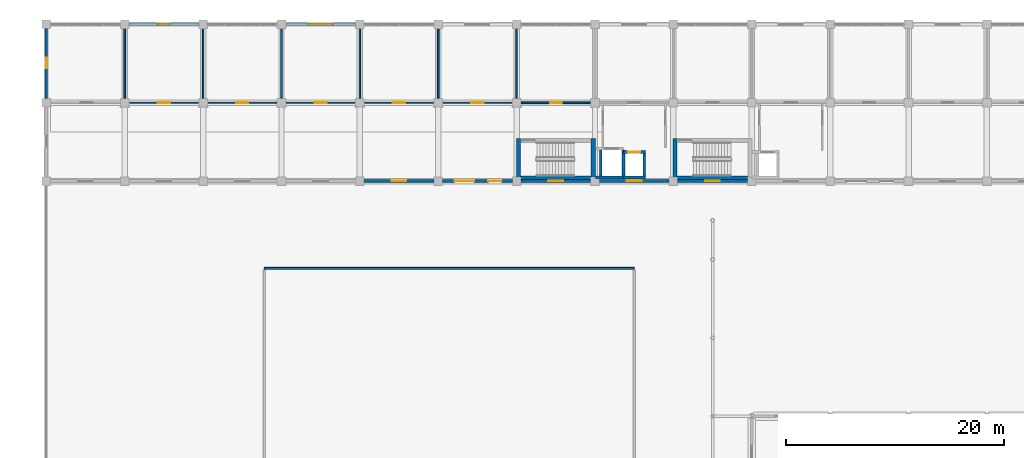
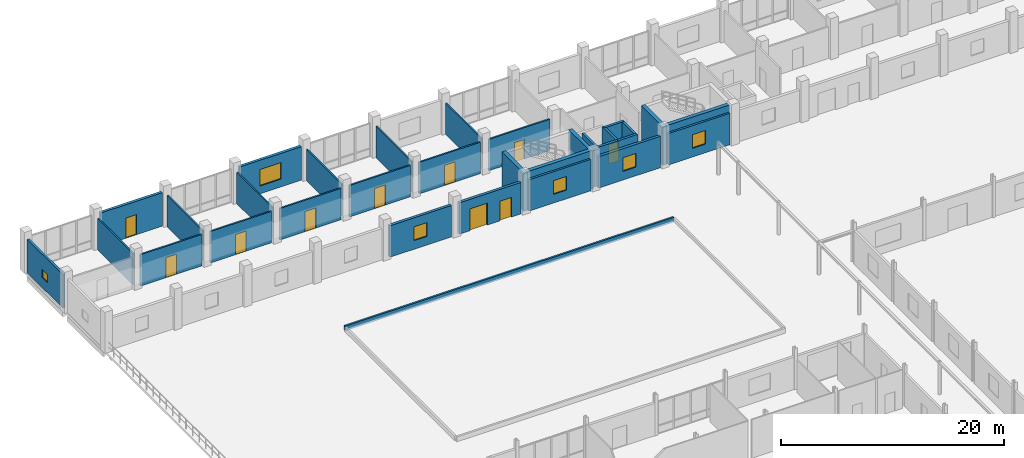
# One storey, part 116 of 139: 32 walls, 10 doors, 6 windows, 16 openings.
"""IFC4 building model written with IfcOpenShell, lengths in metres."""

import ifcopenshell
import ifcopenshell.guid

model = None  # the IFC model being written
_history = None  # IfcOwnerHistory: only IFC2X3 demands one
_inside = {}  # id of a spatial element -> (the spatial element, [elements in it])
_under = {}  # id of a project, library or spatial element -> (it, [spatial elements below it])
_declared = {}  # id of a project -> (the project, [libraries it declares])
_typed = {}  # id of a type object -> (the type object, [elements of that type])
_made_of = {}  # id of a material, layer set ... -> (it, [elements and type objects made of it])


def new_model(schema):
    """Start an empty IFC model of exactly this schema.

    Asked for "IFC4X3", IfcOpenShell would pick the latest addendum, in which some entities
    have other attributes; the version numbers below select the first issue.
    IFC2X3 requires an IfcOwnerHistory on every rooted entity: one is made here for all.
    """
    global model, _history
    if schema == "IFC4X3":
        model = ifcopenshell.file(schema_version=(4, 3, 0, 0))
    else:
        model = ifcopenshell.file(schema=schema)
    _inside.clear()
    _under.clear()
    _declared.clear()
    _typed.clear()
    _made_of.clear()
    _history = None
    if model.schema == "IFC2X3":
        org = make("IfcOrganization", Name="unknown")
        user = make(
            "IfcPersonAndOrganization",
            ThePerson=make("IfcPerson", FamilyName="unknown"),
            TheOrganization=org,
        )
        app = make(
            "IfcApplication",
            ApplicationDeveloper=org,
            Version="unknown",
            ApplicationFullName="unknown",
            ApplicationIdentifier="unknown",
        )
        _history = make(
            "IfcOwnerHistory",
            OwningUser=user,
            OwningApplication=app,
            ChangeAction="ADDED",
            CreationDate=0,
        )
    return model


def make(cls, **values):
    """One entity of the class cls with the attributes given. An attribute that is None is left unset."""
    return model.create_entity(
        cls, **{name: value for name, value in values.items() if value is not None}
    )


def rooted(cls, **values):
    """An entity with a GlobalId (a new one), such as an element, a storey or a relation."""
    return make(cls, GlobalId=ifcopenshell.guid.new(), OwnerHistory=_history, **values)


def si_unit(unit_type, name, prefix=None):
    """IfcSIUnit, for example si_unit("LENGTHUNIT", "METRE", prefix="MILLI")."""
    return make("IfcSIUnit", UnitType=unit_type, Prefix=prefix, Name=name)


def assignment(units):
    """IfcUnitAssignment: the units of a project."""
    return None if units is None else make("IfcUnitAssignment", Units=units)


def point(xyz):
    """IfcCartesianPoint."""
    return None if xyz is None else make("IfcCartesianPoint", Coordinates=xyz)


def direction(xyz):
    """IfcDirection."""
    return None if xyz is None else make("IfcDirection", DirectionRatios=xyz)


def frame(location, z_axis=None, x_axis=None):
    """IfcAxis2Placement3D, a coordinate frame: its origin and axes. An axis left out is left unset."""
    return make(
        "IfcAxis2Placement3D",
        Location=point(location),
        Axis=direction(z_axis),
        RefDirection=direction(x_axis),
    )


def frame_2d(location, x_axis=None):
    """IfcAxis2Placement2D, a coordinate frame in the plane: its origin and x axis."""
    return make(
        "IfcAxis2Placement2D", Location=point(location), RefDirection=direction(x_axis)
    )


def origin():
    """The frame at (0, 0, 0) with its axes left unset."""
    return frame((0.0, 0.0, 0.0))


def place(relative_to, where):
    """IfcLocalPlacement: puts the frame where relative to a parent placement (None: the world)."""
    return make(
        "IfcLocalPlacement", PlacementRelTo=relative_to, RelativePlacement=where
    )


def context(
    kind, dimensions, precision=None, world=None, true_north=None, identifier=None
):
    """IfcGeometricRepresentationContext, for example the 3D "Model" context."""
    return make(
        "IfcGeometricRepresentationContext",
        ContextIdentifier=identifier,
        ContextType=kind,
        CoordinateSpaceDimension=dimensions,
        Precision=precision,
        WorldCoordinateSystem=world,
        TrueNorth=true_north,
    )


def subcontext(parent, identifier, kind, view, scale=None):
    """IfcGeometricRepresentationSubContext, for example "Body" below "Model"."""
    return make(
        "IfcGeometricRepresentationSubContext",
        ContextIdentifier=identifier,
        ContextType=kind,
        ParentContext=parent,
        TargetScale=scale,
        TargetView=view,
    )


def project(units=None, contexts=None):
    """IfcProject with its units and contexts."""
    return rooted(
        "IfcProject",
        Name="project",
        RepresentationContexts=contexts,
        UnitsInContext=assignment(units),
    )


def spatial(cls, under=None, at=None, **own):
    """A site, building, storey or space (cls), placed at a placement, below another one or the project."""
    s = rooted(cls, ObjectPlacement=at, **own)
    if under is not None:
        _under.setdefault(under.id(), (under, []))[1].append(s)
    return s


def profile(cls, at=None, kind="AREA", **sizes):
    """A parametric profile (cls). Its sizes go by their IFC names, for example OverallWidth=200.0."""
    return make(cls, ProfileType=kind, Position=at, **sizes)


def rectangle(**sizes):
    """IfcRectangleProfileDef."""
    return profile("IfcRectangleProfileDef", **sizes)


def extrude(swept, where, along, depth):
    """IfcExtrudedAreaSolid: the profile swept, set in the frame where, extruded along a direction by depth."""
    return make(
        "IfcExtrudedAreaSolid",
        SweptArea=swept,
        Position=where,
        ExtrudedDirection=direction(along),
        Depth=depth,
    )


def shape(context_of_items, identifier, shape_type, items):
    """IfcShapeRepresentation: the items that make up one representation, for example the "Body"."""
    return make(
        "IfcShapeRepresentation",
        ContextOfItems=context_of_items,
        RepresentationIdentifier=identifier,
        RepresentationType=shape_type,
        Items=items,
    )


def material(Name=None, Category=None):
    """IfcMaterial."""
    return make("IfcMaterial", Name=Name, Category=Category)


def layer(
    of_material, thickness, ventilated=None, Name=None, Category=None, Priority=None
):
    """IfcMaterialLayer: one layer of a wall or slab, of a material (None: an air gap)."""
    return make(
        "IfcMaterialLayer",
        Material=of_material,
        LayerThickness=thickness,
        IsVentilated=ventilated,
        Name=Name,
        Category=Category,
        Priority=Priority,
    )


def layer_set(layers, Name=None):
    """IfcMaterialLayerSet."""
    return make("IfcMaterialLayerSet", MaterialLayers=layers, LayerSetName=Name)


def made_of(thing, what):
    """Note that an element or type object is made of a material, layer set ...; save() writes the relation."""
    if what is not None:
        _made_of.setdefault(what.id(), (what, []))[1].append(thing)
    return thing


def type_object(cls, material=None, **own):
    """A type object (cls), such as IfcWallType, which elements share."""
    return made_of(rooted(cls, **own), material)


def element(
    cls,
    number,
    at=None,
    inside=None,
    cuts=None,
    type_object=None,
    material=None,
    context=None,
    identifier="Body",
    shape_type=None,
    held_by="IfcProductDefinitionShape",
    body=None,
    shapes=None,
    **own,
):
    """One element of the class cls, such as IfcWall. Its Tag is "e" and its number.

    at: its placement. inside: the storey or other place that contains it. cuts: it is an
    opening in that element (IfcRelVoidsElement). A single representation is given by context,
    identifier, shape_type and body (its items); several are given by shapes. held_by: the class
    of the entity that holds the representations. save() writes the other relations.
    """
    e = rooted(cls, Tag="e%d" % number, ObjectPlacement=at, **own)
    if body is not None:
        shapes = [shape(context, identifier, shape_type, body)]
    if shapes is not None:
        e.Representation = make(held_by, Representations=shapes)
    if inside is not None:
        _inside.setdefault(inside.id(), (inside, []))[1].append(e)
    if cuts is not None:
        rooted(
            "IfcRelVoidsElement", RelatingBuildingElement=cuts, RelatedOpeningElement=e
        )
    if type_object is not None:
        _typed.setdefault(type_object.id(), (type_object, []))[1].append(e)
    return made_of(e, material)


def fill(opening, filler):
    """IfcRelFillsElement: the door or window that sits in an opening."""
    return rooted(
        "IfcRelFillsElement",
        RelatingOpeningElement=opening,
        RelatedBuildingElement=filler,
    )


def aggregate(whole, parts):
    """IfcRelAggregates: a whole, such as a stair, and the parts it consists of."""
    return rooted("IfcRelAggregates", RelatingObject=whole, RelatedObjects=parts)


def save(model, path):
    """Write the relations noted so far, then the file.

    IfcRelAggregates (storeys below a building ...), IfcRelContainedInSpatialStructure (elements
    in a storey), IfcRelDefinesByType, IfcRelAssociatesMaterial and IfcRelDeclares: one each for
    every whole, place, type object, material and project.
    """
    for whole, parts in _under.values():
        aggregate(whole, parts)
    for where, things in _inside.values():
        rooted(
            "IfcRelContainedInSpatialStructure",
            RelatedElements=things,
            RelatingStructure=where,
        )
    for kind, things in _typed.values():
        rooted("IfcRelDefinesByType", RelatedObjects=things, RelatingType=kind)
    for what, things in _made_of.values():
        rooted("IfcRelAssociatesMaterial", RelatedObjects=things, RelatingMaterial=what)
    for by, libraries in _declared.values():
        rooted("IfcRelDeclares", RelatingContext=by, RelatedDefinitions=libraries)
    model.write(path)


model = new_model("IFC4")

# Units and contexts
model_context = context("Model", 3, precision=1e-05, world=origin(), true_north=direction((0.0, 1.0)))
body_context = subcontext(model_context, "Body", "Model", "MODEL_VIEW")
ifc_project = project(units=[si_unit("LENGTHUNIT", "METRE"), si_unit("AREAUNIT", "SQUARE_METRE"), si_unit("VOLUMEUNIT", "CUBIC_METRE"), si_unit("PLANEANGLEUNIT", "RADIAN"), si_unit("MASSUNIT", "GRAM", prefix="KILO")], contexts=[model_context])

# Site, building, storey
site_placement = place(None, origin())
site = spatial("IfcSite", under=ifc_project, at=site_placement, CompositionType="ELEMENT")
building_placement = place(site_placement, origin())
building = spatial("IfcBuilding", under=site, at=building_placement, Name="Suanplinth Sawtooth Commons", CompositionType="ELEMENT")
storey_placement = place(building_placement, origin())
storey = spatial("IfcBuildingStorey", under=building, at=storey_placement, Name="L00", CompositionType="ELEMENT", Elevation=0.0)

# Walls
ifc_material_1 = material(Name="Concrete C40/50", Category="concrete")
ifc_layer_1 = layer(ifc_material_1, 0.3798828125, Name="Lower high-rise RC core shear wall 380mm")
ifc_layer_set_1 = layer_set([ifc_layer_1], Name="Concrete C40/50")
wall_type_1 = type_object("IfcWallType", Name="W-CR01", PredefinedType="SHEAR", material=ifc_layer_set_1)
wall_1_placement = place(storey_placement, frame((43.550048828125, 108.260009765625, 0.0), z_axis=(0.0, 0.0, 1.0), x_axis=(1.0, 0.0, 0.0)))
element("IfcWall", 1, at=wall_1_placement, inside=storey, type_object=wall_type_1, Name="W-L00-C-A1-STS", PredefinedType="SHEAR", context=body_context, shape_type="SweptSolid", body=[
    extrude(rectangle(XDim=6.5, YDim=0.3798828125, at=frame_2d((3.25, 0.0))), origin(), (0.0, 0.0, 1.0), 4.199951171875),
])
for number, where, z_axis, x_axis, name in (
    (2, (43.360107421875, 108.070068359375, 0.0), (0.0, 0.0, 1.0), (0.0, 1.0, 0.0), "W-L00-C-A1-STW"),
    (3, (50.239990234375, 108.070068359375, 0.0), (0.0, 0.0, 1.0), (0.0, 1.0, 0.0), "W-L00-C-A1-STE"),
):
    element("IfcWall", number, at=place(storey_placement, frame(where, z_axis=z_axis, x_axis=x_axis)), inside=storey, type_object=wall_type_1, Name=name, PredefinedType="SHEAR", context=body_context, shape_type="SweptSolid", body=[
        extrude(rectangle(XDim=3.85986328125, YDim=0.3798828125, at=frame_2d((1.929931640625, 0.0))), origin(), (0.0, 0.0, 1.0), 4.199951171875),
    ])
wall_2_placement = place(storey_placement, frame((57.949951171875, 108.260009765625, 0.0), z_axis=(0.0, 0.0, 1.0), x_axis=(1.0, 0.0, 0.0)))
element("IfcWall", 4, at=wall_2_placement, inside=storey, type_object=wall_type_1, Name="W-L00-C-A2-STS", PredefinedType="SHEAR", context=body_context, shape_type="SweptSolid", body=[
    extrude(rectangle(XDim=6.5, YDim=0.3798828125, at=frame_2d((3.25, 0.0))), origin(), (0.0, 0.0, 1.0), 4.199951171875),
])
wall_3_placement = place(storey_placement, frame((57.760009765625, 108.070068359375, 0.0), z_axis=(0.0, 0.0, 1.0), x_axis=(0.0, 1.0, 0.0)))
element("IfcWall", 5, at=wall_3_placement, inside=storey, type_object=wall_type_1, Name="W-L00-C-A2-STW", PredefinedType="SHEAR", context=body_context, shape_type="SweptSolid", body=[
    extrude(rectangle(XDim=3.85986328125, YDim=0.3798828125, at=frame_2d((1.929931640625, 0.0))), origin(), (0.0, 0.0, 1.0), 4.199951171875),
])

# Wall, opening, door
ifc_material_2 = material(Name="Precast concrete C40/50", Category="concrete")
ifc_layer_2 = layer(ifc_material_2, 0.280029296875, Name="Insulated precast architectural facade wall 280mm")
ifc_layer_set_2 = layer_set([ifc_layer_2], Name="Precast concrete C40/50")
wall_type_2 = type_object("IfcWallType", Name="W-EX01", PredefinedType="ELEMENTEDWALL", material=ifc_layer_set_2)
wall_4_placement = place(storey_placement, frame((7.60009765625, 122.39990234375, 0.0), z_axis=(0.0, 0.0, 1.0), x_axis=(1.0, 0.0, 0.0)))
wall_4 = element("IfcWall", 6, at=wall_4_placement, inside=storey, type_object=wall_type_2, Name="Facade Wall W-L00-A-N-1", PredefinedType="ELEMENTEDWALL", context=body_context, shape_type="SweptSolid", body=[
    extrude(rectangle(XDim=6.39990234375, YDim=0.280029296875, at=frame_2d((3.199951171875, 0.0))), origin(), (0.0, 0.0, 1.0), 3.6650390625),
])
opening_1_placement = place(wall_4_placement, frame((2.64990234375, 0.0, 0.0)))
opening_1 = element("IfcOpeningElement", 7, at=opening_1_placement, cuts=wall_4, Name="Opening ED0021", PredefinedType="OPENING", context=body_context, shape_type="SweptSolid", body=[
    extrude(rectangle(XDim=1.10009765625, YDim=2.199951171875, at=frame_2d((0.550048828125, 1.10009765625))), frame((0.0, 0.15478515625, 0.0), z_axis=(0.0, -1.0, 0.0), x_axis=(1.0, 0.0, 0.0)), (0.0, 0.0, 1.0), 0.309814453125),
])
ifc_material_3 = material(Name="Anodized aluminium and clear glass", Category="aluminium")
door_type_1 = type_object("IfcDoorType", Name="ED-06", OperationType="NOTDEFINED", PredefinedType="DOOR", material=ifc_material_3)
door_1_placement = place(opening_1_placement, frame((1.10009765625, 0.0, 0.0), z_axis=(0.0, 0.0, 1.0), x_axis=(-1.0, 0.0, 0.0)))
door_1 = element("IfcDoor", 8, at=door_1_placement, inside=storey, type_object=door_type_1, Name="Ground Shop Entrance A-1", OperationType="SINGLE_SWING_LEFT", OverallHeight=2.199951171875, OverallWidth=1.10009765625, PredefinedType="DOOR", context=body_context, shape_type="SweptSolid", body=[
    extrude(rectangle(XDim=1.10009765625, YDim=2.199951171875, at=frame_2d((0.550048828125, 1.10009765625))), frame((0.0, 0.02490234375, 0.0), z_axis=(0.0, -1.0, 0.0), x_axis=(1.0, 0.0, 0.0)), (0.0, 0.0, 1.0), 0.050048828125),
])
fill(opening_1, door_1)

# Wall, opening, window
wall_5_placement = place(storey_placement, frame((22.0, 122.39990234375, 0.0), z_axis=(0.0, 0.0, 1.0), x_axis=(1.0, 0.0, 0.0)))
wall_5 = element("IfcWall", 9, at=wall_5_placement, inside=storey, type_object=wall_type_2, Name="Facade Wall W-L00-A-N-3", PredefinedType="ELEMENTEDWALL", context=body_context, shape_type="SweptSolid", body=[
    extrude(rectangle(XDim=6.39990234375, YDim=0.280029296875, at=frame_2d((3.199951171875, 0.0))), origin(), (0.0, 0.0, 1.0), 3.6650390625),
])
opening_2_placement = place(wall_5_placement, frame((2.10009765625, 0.0, 0.85009765625)))
opening_2 = element("IfcOpeningElement", 10, at=opening_2_placement, cuts=wall_5, Name="Opening W0077", PredefinedType="OPENING", context=body_context, shape_type="SweptSolid", body=[
    extrude(rectangle(XDim=2.199951171875, YDim=1.800048828125, at=frame_2d((1.10009765625, 0.89990234375))), frame((0.0, 0.15478515625, 0.0), z_axis=(0.0, -1.0, 0.0), x_axis=(1.0, 0.0, 0.0)), (0.0, 0.0, 1.0), 0.309814453125),
])
ifc_material_4 = material(Name="Thermally broken aluminium and low-E double glazing", Category="aluminium")
window_type_1 = type_object("IfcWindowType", Name="WN-11", PartitioningType="TRIPLE_PANEL_VERTICAL", PredefinedType="WINDOW", material=ifc_material_4)
window_1_placement = place(opening_2_placement, origin())
window_1 = element("IfcWindow", 11, at=window_1_placement, inside=storey, type_object=window_type_1, Name="Shopfront Window A-3", OverallHeight=1.800048828125, OverallWidth=2.199951171875, PartitioningType="TRIPLE_PANEL_VERTICAL", PredefinedType="WINDOW", context=body_context, shape_type="SweptSolid", body=[
    extrude(rectangle(XDim=2.199951171875, YDim=1.800048828125, at=frame_2d((1.10009765625, 0.89990234375))), frame((0.0, 0.030029296875, 0.0), z_axis=(0.0, -1.0, 0.0), x_axis=(1.0, 0.0, 0.0)), (0.0, 0.0, 1.0), 0.06005859375),
])
fill(opening_2, window_1)

wall_6_placement = place(storey_placement, frame((29.199951171875, 108.0, 0.0), z_axis=(0.0, 0.0, 1.0), x_axis=(1.0, 0.0, 0.0)))
wall_6 = element("IfcWall", 12, at=wall_6_placement, inside=storey, type_object=wall_type_2, Name="Courtyard Wall W-L00-A-S-4", PredefinedType="ELEMENTEDWALL", context=body_context, shape_type="SweptSolid", body=[
    extrude(rectangle(XDim=6.400146484375, YDim=0.280029296875, at=frame_2d((3.2001953125, 0.0))), origin(), (0.0, 0.0, 1.0), 3.43505859375),
])
opening_3_placement = place(wall_6_placement, frame((2.52490234375, 0.0, 0.949951171875)))
opening_3 = element("IfcOpeningElement", 13, at=opening_3_placement, cuts=wall_6, Name="Opening W0079", PredefinedType="OPENING", context=body_context, shape_type="SweptSolid", body=[
    extrude(rectangle(XDim=1.35009765625, YDim=1.5, at=frame_2d((0.675048828125, 0.75))), frame((0.0, 0.15478515625, 0.0), z_axis=(0.0, -1.0, 0.0), x_axis=(1.0, 0.0, 0.0)), (0.0, 0.0, 1.0), 0.309814453125),
])
window_type_2 = type_object("IfcWindowType", Name="WN-14", PartitioningType="SINGLE_PANEL", PredefinedType="WINDOW", material=ifc_material_4)
window_2_placement = place(opening_3_placement, origin())
window_2 = element("IfcWindow", 14, at=window_2_placement, inside=storey, type_object=window_type_2, Name="Courtyard Window L00-A-4", OverallHeight=1.5, OverallWidth=1.35009765625, PartitioningType="SINGLE_PANEL", PredefinedType="WINDOW", context=body_context, shape_type="SweptSolid", body=[
    extrude(rectangle(XDim=1.35009765625, YDim=1.5, at=frame_2d((0.675048828125, 0.75))), frame((0.0, 0.030029296875, 0.0), z_axis=(0.0, -1.0, 0.0), x_axis=(1.0, 0.0, 0.0)), (0.0, 0.0, 1.0), 0.06005859375),
])
fill(opening_3, window_2)

# Wall, openings, doors
wall_7_placement = place(storey_placement, frame((36.39990234375, 108.0, 0.0), z_axis=(0.0, 0.0, 1.0), x_axis=(1.0, 0.0, 0.0)))
wall_7 = element("IfcWall", 15, at=wall_7_placement, inside=storey, type_object=wall_type_2, Name="Courtyard Wall W-L00-A-S-5", PredefinedType="ELEMENTEDWALL", context=body_context, shape_type="SweptSolid", body=[
    extrude(rectangle(XDim=6.400146484375, YDim=0.280029296875, at=frame_2d((3.2001953125, 0.0))), origin(), (0.0, 0.0, 1.0), 3.43505859375),
])
opening_4_placement = place(wall_7_placement, frame((1.10009765625, 0.0, 0.0)))
opening_4 = element("IfcOpeningElement", 16, at=opening_4_placement, cuts=wall_7, Name="Opening ED0022", PredefinedType="OPENING", context=body_context, shape_type="SweptSolid", body=[
    extrude(rectangle(XDim=1.800048828125, YDim=2.39990234375, at=frame_2d((0.89990234375, 1.199951171875))), frame((0.0, 0.15478515625, 0.0), z_axis=(0.0, -1.0, 0.0), x_axis=(1.0, 0.0, 0.0)), (0.0, 0.0, 1.0), 0.309814453125),
])
opening_5_placement = place(wall_7_placement, frame((4.199951171875, 0.0, 0.0)))
opening_5 = element("IfcOpeningElement", 17, at=opening_5_placement, cuts=wall_7, Name="Opening ED0023", PredefinedType="OPENING", context=body_context, shape_type="SweptSolid", body=[
    extrude(rectangle(XDim=1.199951171875, YDim=2.14990234375, at=frame_2d((0.60009765625, 1.074951171875))), frame((0.0, 0.15478515625, 0.0), z_axis=(0.0, -1.0, 0.0), x_axis=(1.0, 0.0, 0.0)), (0.0, 0.0, 1.0), 0.309814453125),
])
ifc_material_5 = material(Name="Anodized aluminium and laminated glass", Category="aluminium")
door_type_2 = type_object("IfcDoorType", Name="ED-01", OperationType="DOUBLE_DOOR_SINGLE_SWING", PredefinedType="DOOR", material=ifc_material_5)
door_2_placement = place(opening_4_placement, frame((1.800048828125, 0.0, 0.0), z_axis=(0.0, 0.0, 1.0), x_axis=(-1.0, 0.0, 0.0)))
door_2 = element("IfcDoor", 18, at=door_2_placement, inside=storey, type_object=door_type_2, Name="Wing A Courtyard Entrance 5", OperationType="DOUBLE_DOOR_SINGLE_SWING", OverallHeight=2.39990234375, OverallWidth=1.800048828125, PredefinedType="DOOR", context=body_context, shape_type="SweptSolid", body=[
    extrude(rectangle(XDim=1.800048828125, YDim=2.39990234375, at=frame_2d((0.89990234375, 1.199951171875))), frame((0.0, 0.02490234375, 0.0), z_axis=(0.0, -1.0, 0.0), x_axis=(1.0, 0.0, 0.0)), (0.0, 0.0, 1.0), 0.050048828125),
])
fill(opening_4, door_2)
ifc_material_6 = material(Name="Galvanized painted steel", Category="steel")
door_type_3 = type_object("IfcDoorType", Name="ED-07", OperationType="NOTDEFINED", PredefinedType="DOOR", material=ifc_material_6)
door_3_placement = place(opening_5_placement, frame((1.199951171875, 0.0, 0.0), z_axis=(0.0, 0.0, 1.0), x_axis=(-1.0, 0.0, 0.0)))
door_3 = element("IfcDoor", 19, at=door_3_placement, inside=storey, type_object=door_type_3, Name="Stair Final Discharge A-5", OperationType="SINGLE_SWING_LEFT", OverallHeight=2.14990234375, OverallWidth=1.199951171875, PredefinedType="DOOR", context=body_context, shape_type="SweptSolid", body=[
    extrude(rectangle(XDim=1.199951171875, YDim=2.14990234375, at=frame_2d((0.60009765625, 1.074951171875))), frame((0.0, 0.02490234375, 0.0), z_axis=(0.0, -1.0, 0.0), x_axis=(1.0, 0.0, 0.0)), (0.0, 0.0, 1.0), 0.050048828125),
])
fill(opening_5, door_3)

# Wall, opening, window
wall_8_placement = place(storey_placement, frame((43.60009765625, 108.0, 0.0), z_axis=(0.0, 0.0, 1.0), x_axis=(1.0, 0.0, 0.0)))
wall_8 = element("IfcWall", 20, at=wall_8_placement, inside=storey, type_object=wall_type_2, Name="Courtyard Wall W-L00-A-S-6", PredefinedType="ELEMENTEDWALL", context=body_context, shape_type="SweptSolid", body=[
    extrude(rectangle(XDim=6.39990234375, YDim=0.280029296875, at=frame_2d((3.199951171875, 0.0))), origin(), (0.0, 0.0, 1.0), 3.43505859375),
])
opening_6_placement = place(wall_8_placement, frame((2.52490234375, 0.0, 0.949951171875)))
opening_6 = element("IfcOpeningElement", 21, at=opening_6_placement, cuts=wall_8, Name="Opening W0081", PredefinedType="OPENING", context=body_context, shape_type="SweptSolid", body=[
    extrude(rectangle(XDim=1.35009765625, YDim=1.5, at=frame_2d((0.675048828125, 0.75))), frame((0.0, 0.15478515625, 0.0), z_axis=(0.0, -1.0, 0.0), x_axis=(1.0, 0.0, 0.0)), (0.0, 0.0, 1.0), 0.309814453125),
])
window_3_placement = place(opening_6_placement, origin())
window_3 = element("IfcWindow", 22, at=window_3_placement, inside=storey, type_object=window_type_2, Name="Courtyard Window L00-A-6", OverallHeight=1.5, OverallWidth=1.35009765625, PartitioningType="SINGLE_PANEL", PredefinedType="WINDOW", context=body_context, shape_type="SweptSolid", body=[
    extrude(rectangle(XDim=1.35009765625, YDim=1.5, at=frame_2d((0.675048828125, 0.75))), frame((0.0, 0.030029296875, 0.0), z_axis=(0.0, -1.0, 0.0), x_axis=(1.0, 0.0, 0.0)), (0.0, 0.0, 1.0), 0.06005859375),
])
fill(opening_6, window_3)

wall_9_placement = place(storey_placement, frame((50.800048828125, 108.0, 0.0), z_axis=(0.0, 0.0, 1.0), x_axis=(1.0, 0.0, 0.0)))
wall_9 = element("IfcWall", 23, at=wall_9_placement, inside=storey, type_object=wall_type_2, Name="Courtyard Wall W-L00-A-S-7", PredefinedType="ELEMENTEDWALL", context=body_context, shape_type="SweptSolid", body=[
    extrude(rectangle(XDim=6.39990234375, YDim=0.280029296875, at=frame_2d((3.199951171875, 0.0))), origin(), (0.0, 0.0, 1.0), 3.43505859375),
])
opening_7_placement = place(wall_9_placement, frame((2.52490234375, 0.0, 0.949951171875)))
opening_7 = element("IfcOpeningElement", 24, at=opening_7_placement, cuts=wall_9, Name="Opening W0083", PredefinedType="OPENING", context=body_context, shape_type="SweptSolid", body=[
    extrude(rectangle(XDim=1.35009765625, YDim=1.5, at=frame_2d((0.675048828125, 0.75))), frame((0.0, 0.15478515625, 0.0), z_axis=(0.0, -1.0, 0.0), x_axis=(1.0, 0.0, 0.0)), (0.0, 0.0, 1.0), 0.309814453125),
])
window_4_placement = place(opening_7_placement, origin())
window_4 = element("IfcWindow", 25, at=window_4_placement, inside=storey, type_object=window_type_2, Name="Courtyard Window L00-A-7", OverallHeight=1.5, OverallWidth=1.35009765625, PartitioningType="SINGLE_PANEL", PredefinedType="WINDOW", context=body_context, shape_type="SweptSolid", body=[
    extrude(rectangle(XDim=1.35009765625, YDim=1.5, at=frame_2d((0.675048828125, 0.75))), frame((0.0, 0.030029296875, 0.0), z_axis=(0.0, -1.0, 0.0), x_axis=(1.0, 0.0, 0.0)), (0.0, 0.0, 1.0), 0.06005859375),
])
fill(opening_7, window_4)

wall_10_placement = place(storey_placement, frame((58.0, 108.0, 0.0), z_axis=(0.0, 0.0, 1.0), x_axis=(1.0, 0.0, 0.0)))
wall_10 = element("IfcWall", 26, at=wall_10_placement, inside=storey, type_object=wall_type_2, Name="Courtyard Wall W-L00-A-S-8", PredefinedType="ELEMENTEDWALL", context=body_context, shape_type="SweptSolid", body=[
    extrude(rectangle(XDim=6.39990234375, YDim=0.280029296875, at=frame_2d((3.199951171875, 0.0))), origin(), (0.0, 0.0, 1.0), 3.43505859375),
])
opening_8_placement = place(wall_10_placement, frame((2.52490234375, 0.0, 0.949951171875)))
opening_8 = element("IfcOpeningElement", 27, at=opening_8_placement, cuts=wall_10, Name="Opening W0084", PredefinedType="OPENING", context=body_context, shape_type="SweptSolid", body=[
    extrude(rectangle(XDim=1.35009765625, YDim=1.5, at=frame_2d((0.675048828125, 0.75))), frame((0.0, 0.15478515625, 0.0), z_axis=(0.0, -1.0, 0.0), x_axis=(1.0, 0.0, 0.0)), (0.0, 0.0, 1.0), 0.309814453125),
])
window_5_placement = place(opening_8_placement, origin())
window_5 = element("IfcWindow", 28, at=window_5_placement, inside=storey, type_object=window_type_2, Name="Courtyard Window L00-A-8", OverallHeight=1.5, OverallWidth=1.35009765625, PartitioningType="SINGLE_PANEL", PredefinedType="WINDOW", context=body_context, shape_type="SweptSolid", body=[
    extrude(rectangle(XDim=1.35009765625, YDim=1.5, at=frame_2d((0.675048828125, 0.75))), frame((0.0, 0.030029296875, 0.0), z_axis=(0.0, -1.0, 0.0), x_axis=(1.0, 0.0, 0.0)), (0.0, 0.0, 1.0), 0.06005859375),
])
fill(opening_8, window_5)

ifc_layer_3 = layer(ifc_material_2, 0.22998046875, Name="Stepped terrace insulated precast wall 230mm")
ifc_layer_set_3 = layer_set([ifc_layer_3], Name="Precast concrete C40/50")
wall_type_3 = type_object("IfcWallType", Name="W-EX06", PredefinedType="ELEMENTEDWALL", material=ifc_layer_set_3)
wall_11_placement = place(storey_placement, frame((0.0, 115.60009765625, 0.0), z_axis=(0.0, 0.0, 1.0), x_axis=(0.0, 1.0, 0.0)))
wall_11 = element("IfcWall", 29, at=wall_11_placement, inside=storey, type_object=wall_type_3, Name="End Wall W-L00-A-W-16", PredefinedType="ELEMENTEDWALL", context=body_context, shape_type="SweptSolid", body=[
    extrude(rectangle(XDim=6.39990234375, YDim=0.22998046875, at=frame_2d((3.199951171875, 0.0))), origin(), (0.0, 0.0, 1.0), 3.6650390625),
])
opening_9_placement = place(wall_11_placement, frame((2.75, 0.0, 1.10009765625)))
opening_9 = element("IfcOpeningElement", 30, at=opening_9_placement, cuts=wall_11, Name="Opening W0096", PredefinedType="OPENING", context=body_context, shape_type="SweptSolid", body=[
    extrude(rectangle(XDim=1.0, YDim=0.89990234375, at=frame_2d((0.5, 0.449951171875))), frame((0.0, 0.1298828125, 0.0), z_axis=(0.0, -1.0, 0.0), x_axis=(1.0, 0.0, 0.0)), (0.0, 0.0, 1.0), 0.259765625),
])
window_type_3 = type_object("IfcWindowType", Name="WN-12", PartitioningType="SINGLE_PANEL", PredefinedType="WINDOW", material=ifc_material_4)
window_6_placement = place(opening_9_placement, origin())
window_6 = element("IfcWindow", 31, at=window_6_placement, inside=storey, type_object=window_type_3, Name="End Window L00-A-W-16", OverallHeight=0.89990234375, OverallWidth=1.0, PartitioningType="SINGLE_PANEL", PredefinedType="WINDOW", context=body_context, shape_type="SweptSolid", body=[
    extrude(rectangle(XDim=1.0, YDim=0.89990234375, at=frame_2d((0.5, 0.449951171875))), frame((0.0, 0.030029296875, 0.0), z_axis=(0.0, -1.0, 0.0), x_axis=(1.0, 0.0, 0.0)), (0.0, 0.0, 1.0), 0.06005859375),
])
fill(opening_9, window_6)

# Wall, opening, door
ifc_layer_4 = layer(ifc_material_2, 0.159912109375, Name="Fire-rated corridor and lobby wall 160mm")
ifc_layer_set_4 = layer_set([ifc_layer_4], Name="Precast concrete C40/50")
wall_type_4 = type_object("IfcWallType", Name="W-FW01", PredefinedType="PARTITIONING", material=ifc_layer_set_4)
wall_12_placement = place(storey_placement, frame((7.6298828125, 115.199951171875, 0.0), z_axis=(0.0, 0.0, 1.0), x_axis=(1.0, 0.0, 0.0)))
wall_12 = element("IfcWall", 32, at=wall_12_placement, inside=storey, type_object=wall_type_4, Name="W-A-L00-GROUNDROOM-1-COR", PredefinedType="PARTITIONING", context=body_context, shape_type="SweptSolid", body=[
    extrude(rectangle(XDim=6.340087890625, YDim=0.159912109375, at=frame_2d((3.169921875, 0.0))), origin(), (0.0, 0.0, 1.0), 3.43505859375),
])
opening_10_placement = place(wall_12_placement, frame((2.610107421875, 0.0, 0.0)))
opening_10 = element("IfcOpeningElement", 33, at=opening_10_placement, cuts=wall_12, Name="Opening D0471", PredefinedType="OPENING", context=body_context, shape_type="SweptSolid", body=[
    extrude(rectangle(XDim=1.1201171875, YDim=2.199951171875, at=frame_2d((0.56005859375, 1.10009765625))), frame((0.0, 0.0947265625, 0.0), z_axis=(0.0, -1.0, 0.0), x_axis=(1.0, 0.0, 0.0)), (0.0, 0.0, 1.0), 0.189697265625),
])
ifc_material_7 = material(Name="Teak hardwood", Category="wood")
door_type_4 = type_object("IfcDoorType", Name="D-18", OperationType="NOTDEFINED", PredefinedType="DOOR", material=ifc_material_7)
door_4_placement = place(opening_10_placement, origin())
door_4 = element("IfcDoor", 34, at=door_4_placement, inside=storey, type_object=door_type_4, Name="Unit Entrance Door D0471", OperationType="SINGLE_SWING_LEFT", OverallHeight=2.199951171875, OverallWidth=1.1201171875, PredefinedType="DOOR", context=body_context, shape_type="SweptSolid", body=[
    extrude(rectangle(XDim=1.1201171875, YDim=2.199951171875, at=frame_2d((0.56005859375, 1.10009765625))), frame((0.0, 0.02490234375, 0.0), z_axis=(0.0, -1.0, 0.0), x_axis=(1.0, 0.0, 0.0)), (0.0, 0.0, 1.0), 0.050048828125),
])
fill(opening_10, door_4)

wall_13_placement = place(storey_placement, frame((14.830078125, 115.199951171875, 0.0), z_axis=(0.0, 0.0, 1.0), x_axis=(1.0, 0.0, 0.0)))
wall_13 = element("IfcWall", 35, at=wall_13_placement, inside=storey, type_object=wall_type_4, Name="W-A-L00-GROUNDROOM-2-COR", PredefinedType="PARTITIONING", context=body_context, shape_type="SweptSolid", body=[
    extrude(rectangle(XDim=6.33984375, YDim=0.159912109375, at=frame_2d((3.169921875, 0.0))), origin(), (0.0, 0.0, 1.0), 3.43505859375),
])
opening_11_placement = place(wall_13_placement, frame((2.610107421875, 0.0, 0.0)))
opening_11 = element("IfcOpeningElement", 36, at=opening_11_placement, cuts=wall_13, Name="Opening D0472", PredefinedType="OPENING", context=body_context, shape_type="SweptSolid", body=[
    extrude(rectangle(XDim=1.1201171875, YDim=2.199951171875, at=frame_2d((0.56005859375, 1.10009765625))), frame((0.0, 0.0947265625, 0.0), z_axis=(0.0, -1.0, 0.0), x_axis=(1.0, 0.0, 0.0)), (0.0, 0.0, 1.0), 0.189697265625),
])
door_5_placement = place(opening_11_placement, origin())
door_5 = element("IfcDoor", 37, at=door_5_placement, inside=storey, type_object=door_type_4, Name="Unit Entrance Door D0472", OperationType="SINGLE_SWING_RIGHT", OverallHeight=2.199951171875, OverallWidth=1.1201171875, PredefinedType="DOOR", context=body_context, shape_type="SweptSolid", body=[
    extrude(rectangle(XDim=1.1201171875, YDim=2.199951171875, at=frame_2d((0.56005859375, 1.10009765625))), frame((0.0, 0.02490234375, 0.0), z_axis=(0.0, -1.0, 0.0), x_axis=(1.0, 0.0, 0.0)), (0.0, 0.0, 1.0), 0.050048828125),
])
fill(opening_11, door_5)

wall_14_placement = place(storey_placement, frame((22.030029296875, 115.199951171875, 0.0), z_axis=(0.0, 0.0, 1.0), x_axis=(1.0, 0.0, 0.0)))
wall_14 = element("IfcWall", 38, at=wall_14_placement, inside=storey, type_object=wall_type_4, Name="W-A-L00-GROUNDROOM-3-COR", PredefinedType="PARTITIONING", context=body_context, shape_type="SweptSolid", body=[
    extrude(rectangle(XDim=6.340087890625, YDim=0.159912109375, at=frame_2d((3.169921875, 0.0))), origin(), (0.0, 0.0, 1.0), 3.43505859375),
])
opening_12_placement = place(wall_14_placement, frame((2.610107421875, 0.0, 0.0)))
opening_12 = element("IfcOpeningElement", 39, at=opening_12_placement, cuts=wall_14, Name="Opening D0473", PredefinedType="OPENING", context=body_context, shape_type="SweptSolid", body=[
    extrude(rectangle(XDim=1.1201171875, YDim=2.199951171875, at=frame_2d((0.56005859375, 1.10009765625))), frame((0.0, 0.0947265625, 0.0), z_axis=(0.0, -1.0, 0.0), x_axis=(1.0, 0.0, 0.0)), (0.0, 0.0, 1.0), 0.189697265625),
])
door_6_placement = place(opening_12_placement, origin())
door_6 = element("IfcDoor", 40, at=door_6_placement, inside=storey, type_object=door_type_4, Name="Unit Entrance Door D0473", OperationType="SINGLE_SWING_LEFT", OverallHeight=2.199951171875, OverallWidth=1.1201171875, PredefinedType="DOOR", context=body_context, shape_type="SweptSolid", body=[
    extrude(rectangle(XDim=1.1201171875, YDim=2.199951171875, at=frame_2d((0.56005859375, 1.10009765625))), frame((0.0, 0.02490234375, 0.0), z_axis=(0.0, -1.0, 0.0), x_axis=(1.0, 0.0, 0.0)), (0.0, 0.0, 1.0), 0.050048828125),
])
fill(opening_12, door_6)

wall_15_placement = place(storey_placement, frame((29.22998046875, 115.199951171875, 0.0), z_axis=(0.0, 0.0, 1.0), x_axis=(1.0, 0.0, 0.0)))
wall_15 = element("IfcWall", 41, at=wall_15_placement, inside=storey, type_object=wall_type_4, Name="W-A-L00-GROUNDROOM-4-COR", PredefinedType="PARTITIONING", context=body_context, shape_type="SweptSolid", body=[
    extrude(rectangle(XDim=6.340087890625, YDim=0.159912109375, at=frame_2d((3.169921875, 0.0))), origin(), (0.0, 0.0, 1.0), 3.43505859375),
])
opening_13_placement = place(wall_15_placement, frame((2.610107421875, 0.0, 0.0)))
opening_13 = element("IfcOpeningElement", 42, at=opening_13_placement, cuts=wall_15, Name="Opening D0474", PredefinedType="OPENING", context=body_context, shape_type="SweptSolid", body=[
    extrude(rectangle(XDim=1.1201171875, YDim=2.199951171875, at=frame_2d((0.56005859375, 1.10009765625))), frame((0.0, 0.0947265625, 0.0), z_axis=(0.0, -1.0, 0.0), x_axis=(1.0, 0.0, 0.0)), (0.0, 0.0, 1.0), 0.189697265625),
])
door_7_placement = place(opening_13_placement, origin())
door_7 = element("IfcDoor", 43, at=door_7_placement, inside=storey, type_object=door_type_4, Name="Unit Entrance Door D0474", OperationType="SINGLE_SWING_RIGHT", OverallHeight=2.199951171875, OverallWidth=1.1201171875, PredefinedType="DOOR", context=body_context, shape_type="SweptSolid", body=[
    extrude(rectangle(XDim=1.1201171875, YDim=2.199951171875, at=frame_2d((0.56005859375, 1.10009765625))), frame((0.0, 0.02490234375, 0.0), z_axis=(0.0, -1.0, 0.0), x_axis=(1.0, 0.0, 0.0)), (0.0, 0.0, 1.0), 0.050048828125),
])
fill(opening_13, door_7)

wall_16_placement = place(storey_placement, frame((36.429931640625, 115.199951171875, 0.0), z_axis=(0.0, 0.0, 1.0), x_axis=(1.0, 0.0, 0.0)))
wall_16 = element("IfcWall", 44, at=wall_16_placement, inside=storey, type_object=wall_type_4, Name="W-A-L00-GROUNDROOM-5-COR", PredefinedType="PARTITIONING", context=body_context, shape_type="SweptSolid", body=[
    extrude(rectangle(XDim=6.340087890625, YDim=0.159912109375, at=frame_2d((3.169921875, 0.0))), origin(), (0.0, 0.0, 1.0), 3.43505859375),
])
opening_14_placement = place(wall_16_placement, frame((2.610107421875, 0.0, 0.0)))
opening_14 = element("IfcOpeningElement", 45, at=opening_14_placement, cuts=wall_16, Name="Opening D0475", PredefinedType="OPENING", context=body_context, shape_type="SweptSolid", body=[
    extrude(rectangle(XDim=1.1201171875, YDim=2.199951171875, at=frame_2d((0.56005859375, 1.10009765625))), frame((0.0, 0.0947265625, 0.0), z_axis=(0.0, -1.0, 0.0), x_axis=(1.0, 0.0, 0.0)), (0.0, 0.0, 1.0), 0.189697265625),
])
door_8_placement = place(opening_14_placement, origin())
door_8 = element("IfcDoor", 46, at=door_8_placement, inside=storey, type_object=door_type_4, Name="Unit Entrance Door D0475", OperationType="SINGLE_SWING_LEFT", OverallHeight=2.199951171875, OverallWidth=1.1201171875, PredefinedType="DOOR", context=body_context, shape_type="SweptSolid", body=[
    extrude(rectangle(XDim=1.1201171875, YDim=2.199951171875, at=frame_2d((0.56005859375, 1.10009765625))), frame((0.0, 0.02490234375, 0.0), z_axis=(0.0, -1.0, 0.0), x_axis=(1.0, 0.0, 0.0)), (0.0, 0.0, 1.0), 0.050048828125),
])
fill(opening_14, door_8)

wall_17_placement = place(storey_placement, frame((43.6298828125, 115.199951171875, 0.0), z_axis=(0.0, 0.0, 1.0), x_axis=(1.0, 0.0, 0.0)))
wall_17 = element("IfcWall", 47, at=wall_17_placement, inside=storey, type_object=wall_type_4, Name="W-A-L00-GROUNDROOM-6-COR", PredefinedType="PARTITIONING", context=body_context, shape_type="SweptSolid", body=[
    extrude(rectangle(XDim=6.340087890625, YDim=0.159912109375, at=frame_2d((3.169921875, 0.0))), origin(), (0.0, 0.0, 1.0), 3.43505859375),
])
opening_15_placement = place(wall_17_placement, frame((2.64501953125, 0.0, 0.0)))
opening_15 = element("IfcOpeningElement", 48, at=opening_15_placement, cuts=wall_17, Name="Opening FD0476", PredefinedType="OPENING", context=body_context, shape_type="SweptSolid", body=[
    extrude(rectangle(XDim=1.050048828125, YDim=2.14990234375, at=frame_2d((0.52490234375, 1.074951171875))), frame((0.0, 0.0947265625, 0.0), z_axis=(0.0, -1.0, 0.0), x_axis=(1.0, 0.0, 0.0)), (0.0, 0.0, 1.0), 0.189697265625),
])
ifc_material_8 = material(Name="Teak hardwood fire-rated door assembly", Category="wood")
door_type_5 = type_object("IfcDoorType", Name="FD-04", OperationType="NOTDEFINED", PredefinedType="DOOR", material=ifc_material_8)
door_9_placement = place(opening_15_placement, origin())
door_9 = element("IfcDoor", 49, at=door_9_placement, inside=storey, type_object=door_type_5, Name="Unit Entrance Door FD0476", OperationType="SINGLE_SWING_RIGHT", OverallHeight=2.14990234375, OverallWidth=1.050048828125, PredefinedType="DOOR", context=body_context, shape_type="SweptSolid", body=[
    extrude(rectangle(XDim=1.050048828125, YDim=2.14990234375, at=frame_2d((0.52490234375, 1.074951171875))), frame((0.0, 0.02490234375, 0.0), z_axis=(0.0, -1.0, 0.0), x_axis=(1.0, 0.0, 0.0)), (0.0, 0.0, 1.0), 0.050048828125),
])
fill(opening_15, door_9)

# Walls
ifc_layer_5 = layer(ifc_material_2, 0.14990234375, Name="Acoustic precast party demising wall 150mm")
ifc_layer_set_5 = layer_set([ifc_layer_5], Name="Precast concrete C40/50")
wall_type_5 = type_object("IfcWallType", Name="W-FW02", PredefinedType="PARTITIONING", material=ifc_layer_set_5)
for number, where, z_axis, x_axis, name in (
    (50, (7.199951171875, 115.6298828125, 0.0), (0.0, 0.0, 1.0), (0.0, 1.0, 0.0), "W-A-L00-GROUNDROOM-0-PTY"),
    (51, (14.39990234375, 115.6298828125, 0.0), (0.0, 0.0, 1.0), (0.0, 1.0, 0.0), "W-A-L00-GROUNDROOM-1-PTY"),
    (52, (21.60009765625, 115.6298828125, 0.0), (0.0, 0.0, 1.0), (0.0, 1.0, 0.0), "W-A-L00-GROUNDROOM-2-PTY"),
    (53, (28.800048828125, 115.6298828125, 0.0), (0.0, 0.0, 1.0), (0.0, 1.0, 0.0), "W-A-L00-GROUNDROOM-3-PTY"),
    (54, (36.0, 115.6298828125, 0.0), (0.0, 0.0, 1.0), (0.0, 1.0, 0.0), "W-A-L00-GROUNDROOM-4-PTY"),
    (55, (43.199951171875, 115.6298828125, 0.0), (0.0, 0.0, 1.0), (0.0, 1.0, 0.0), "W-A-L00-GROUNDROOM-5-PTY"),
):
    element("IfcWall", number, at=place(storey_placement, frame(where, z_axis=z_axis, x_axis=x_axis)), inside=storey, type_object=wall_type_5, Name=name, PredefinedType="PARTITIONING", context=body_context, shape_type="SweptSolid", body=[
        extrude(rectangle(XDim=6.340087890625, YDim=0.14990234375, at=frame_2d((3.169921875, 0.0))), origin(), (0.0, 0.0, 1.0), 3.43505859375),
    ])
ifc_layer_6 = layer(ifc_material_2, 0.179931640625, Name="Terrace & courtyard planter kerb wall 180mm")
ifc_layer_set_6 = layer_set([ifc_layer_6], Name="Precast concrete C40/50")
wall_type_6 = type_object("IfcWallType", Name="W-PR02", PredefinedType="PARAPET", material=ifc_layer_set_6)
wall_18_placement = place(storey_placement, frame((20.0, 100.0, 0.0), z_axis=(0.0, 0.0, 1.0), x_axis=(1.0, 0.0, 0.0)))
element("IfcWall", 56, at=wall_18_placement, inside=storey, type_object=wall_type_6, Name="North-West Courtyard Tropical Rain Garden Kerb N", PredefinedType="PARAPET", context=body_context, shape_type="SweptSolid", body=[
    extrude(rectangle(XDim=34.0, YDim=0.179931640625, at=frame_2d((17.0, 0.0))), origin(), (0.0, 0.0, 1.0), 0.52001953125),
])
ifc_layer_7 = layer(ifc_material_2, 0.25, Name="Precast structural shear wall 250mm")
ifc_layer_set_7 = layer_set([ifc_layer_7], Name="Precast concrete C40/50")
wall_type_7 = type_object("IfcWallType", Name="W-SH01", PredefinedType="SHEAR", material=ifc_layer_set_7)
wall_19_placement = place(storey_placement, frame((50.429931640625, 108.324951171875, 0.0), z_axis=(0.0, 0.0, 1.0), x_axis=(1.0, 0.0, 0.0)))
element("IfcWall", 57, at=wall_19_placement, inside=storey, type_object=wall_type_7, Name="W-L00-FL1-S", PredefinedType="SHEAR", context=body_context, shape_type="SweptSolid", body=[
    extrude(rectangle(XDim=2.594970703125, YDim=0.25, at=frame_2d((1.29736328125, 0.0))), origin(), (0.0, 0.0, 1.0), 4.199951171875),
])
for number, where, z_axis, x_axis, name in (
    (58, (50.925048828125, 108.449951171875, 0.0), (0.0, 0.0, 1.0), (0.0, 1.0, 0.0), "W-L00-FL1-W"),
    (59, (53.02490234375, 108.449951171875, 0.0), (0.0, 0.0, 1.0), (0.0, 1.0, 0.0), "W-L00-FL1-DIV"),
):
    element("IfcWall", number, at=place(storey_placement, frame(where, z_axis=z_axis, x_axis=x_axis)), inside=storey, type_object=wall_type_7, Name=name, PredefinedType="SHEAR", context=body_context, shape_type="SweptSolid", body=[
        extrude(rectangle(XDim=2.400146484375, YDim=0.25, at=frame_2d((1.2001953125, 0.0))), origin(), (0.0, 0.0, 1.0), 4.199951171875),
    ])
wall_20_placement = place(storey_placement, frame((53.02490234375, 108.324951171875, 0.0), z_axis=(0.0, 0.0, 1.0), x_axis=(1.0, 0.0, 0.0)))
element("IfcWall", 60, at=wall_20_placement, inside=storey, type_object=wall_type_7, Name="W-L00-LF1-S", PredefinedType="SHEAR", context=body_context, shape_type="SweptSolid", body=[
    extrude(rectangle(XDim=2.025146484375, YDim=0.25, at=frame_2d((1.0126953125, 0.0))), origin(), (0.0, 0.0, 1.0), 4.199951171875),
])

# Wall, opening, door
wall_21_placement = place(storey_placement, frame((53.02490234375, 110.675048828125, 0.0), z_axis=(0.0, 0.0, 1.0), x_axis=(1.0, 0.0, 0.0)))
wall_21 = element("IfcWall", 61, at=wall_21_placement, inside=storey, type_object=wall_type_7, Name="W-L00-LF1-N", PredefinedType="SHEAR", context=body_context, shape_type="SweptSolid", body=[
    extrude(rectangle(XDim=2.025146484375, YDim=0.25, at=frame_2d((1.0126953125, 0.0))), origin(), (0.0, 0.0, 1.0), 4.199951171875),
])
opening_16_placement = place(wall_21_placement, frame((0.425048828125, 0.0, 0.0)))
opening_16 = element("IfcOpeningElement", 62, at=opening_16_placement, cuts=wall_21, Name="Opening LD0010", PredefinedType="OPENING", context=body_context, shape_type="SweptSolid", body=[
    extrude(rectangle(XDim=1.10009765625, YDim=2.14990234375, at=frame_2d((0.550048828125, 1.074951171875))), frame((0.0, 0.139892578125, 0.0), z_axis=(0.0, -1.0, 0.0), x_axis=(1.0, 0.0, 0.0)), (0.0, 0.0, 1.0), 0.27978515625),
])
ifc_material_9 = material(Name="Stainless steel Grade 304", Category="steel")
door_type_6 = type_object("IfcDoorType", Name="LD-01", OperationType="SLIDING_TO_LEFT", PredefinedType="DOOR", material=ifc_material_9)
door_10_placement = place(opening_16_placement, origin())
door_10 = element("IfcDoor", 63, at=door_10_placement, inside=storey, type_object=door_type_6, Name="Lift Landing Sliding Door LF1 L00", OperationType="SLIDING_TO_LEFT", OverallHeight=2.14990234375, OverallWidth=1.10009765625, PredefinedType="DOOR", context=body_context, shape_type="SweptSolid", body=[
    extrude(rectangle(XDim=1.10009765625, YDim=2.14990234375, at=frame_2d((0.550048828125, 1.074951171875))), frame((0.0, 0.02490234375, 0.0), z_axis=(0.0, -1.0, 0.0), x_axis=(1.0, 0.0, 0.0)), (0.0, 0.0, 1.0), 0.050048828125),
])
fill(opening_16, door_10)

# Wall
wall_22_placement = place(storey_placement, frame((54.925048828125, 108.449951171875, 0.0), z_axis=(0.0, 0.0, 1.0), x_axis=(0.0, 1.0, 0.0)))
element("IfcWall", 64, at=wall_22_placement, inside=storey, type_object=wall_type_7, Name="W-L00-LF1-E", PredefinedType="SHEAR", context=body_context, shape_type="SweptSolid", body=[
    extrude(rectangle(XDim=2.10009765625, YDim=0.25, at=frame_2d((1.050048828125, 0.0))), origin(), (0.0, 0.0, 1.0), 4.199951171875),
])

save(model, "model.ifc")
